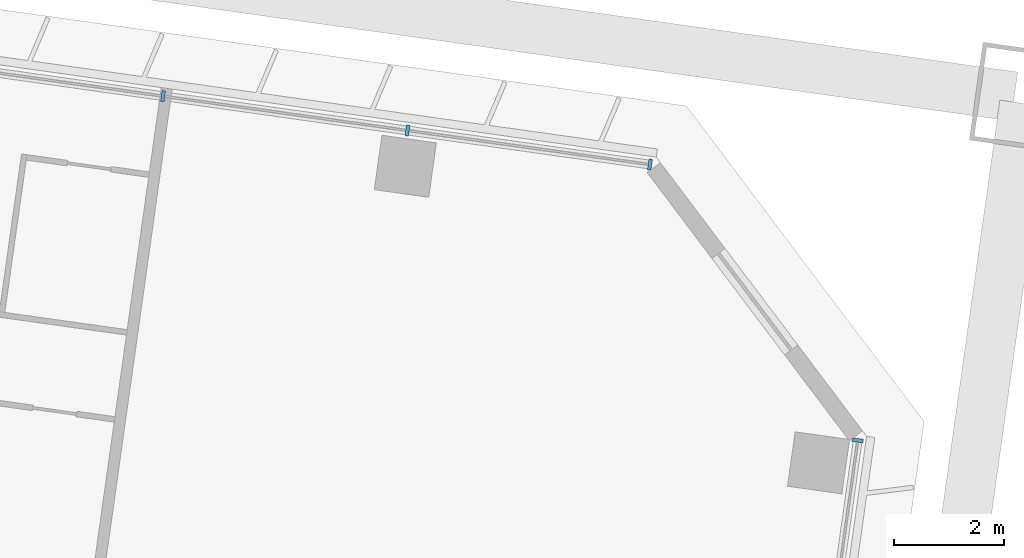
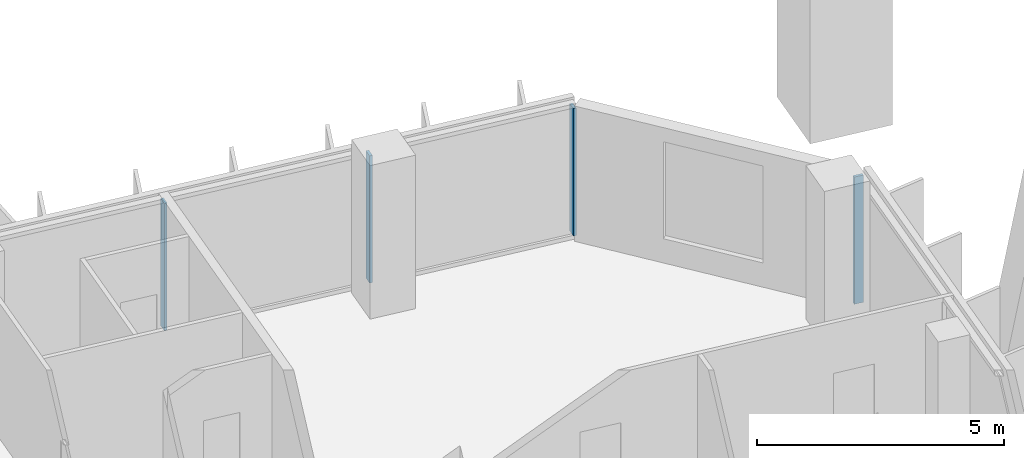
# One storey, part 18 of 49: 4 members, 2 elements without a shape of their own.
"""IFC4 building model written with IfcOpenShell, lengths in metres."""

from ifc_helpers import new_model, si_unit, direction, frame, origin, origin_2d, place, context, subcontext, project, spatial, rectangle, extrude, material, material_profile, profile_set, type_object, element, aggregate, save


model = new_model("IFC4")

# Units and contexts
model_context = context("Model", 3, precision=1e-05, world=origin(), true_north=direction((0.0, 1.0)))
body_context = subcontext(model_context, "Body", "Model", "MODEL_VIEW")
ifc_project = project(units=[si_unit("LENGTHUNIT", "METRE"), si_unit("AREAUNIT", "SQUARE_METRE"), si_unit("VOLUMEUNIT", "CUBIC_METRE"), si_unit("PLANEANGLEUNIT", "RADIAN"), si_unit("MASSUNIT", "GRAM", prefix="KILO")], contexts=[model_context])

# Site, building, storey
site_placement = place(None, origin())
site = spatial("IfcSite", under=ifc_project, at=site_placement, CompositionType="ELEMENT")
building_placement = place(site_placement, origin())
building = spatial("IfcBuilding", under=site, at=building_placement, Name="Mirante Cascada Hotel Towers", CompositionType="ELEMENT")
storey_placement = place(building_placement, frame((0.0, 0.0, 66.1)))
storey = spatial("IfcBuildingStorey", under=building, at=storey_placement, Name="L13", CompositionType="ELEMENT", Elevation=66.1)

# Curtain wall, members
ifc_material_1 = material(Name="Aluminium mullion and transom frame with clear laminated glass", Category="aluminium")
curtain_wall_type_1 = type_object("IfcCurtainWallType", Name="Ribbon curtain wall ECW1", PredefinedType="NOTDEFINED", material=ifc_material_1)
curtain_wall_1_placement = place(storey_placement, origin())
curtain_wall_1 = element("IfcCurtainWall", 1, at=curtain_wall_1_placement, inside=storey, type_object=curtain_wall_type_1, Name="Front ribbon wall T1 L13", PredefinedType="NOTDEFINED")
ifc_material_2 = material(Name="Anodised aluminium extrusion", Category="aluminium")
ifc_material_profile_1 = material_profile(ifc_material_2, rectangle(XDim=0.2, YDim=0.065, at=origin_2d()), Name="ECW1 MULLION 65x200")
ifc_profile_set_1 = profile_set([ifc_material_profile_1], Name="Anodised aluminium extrusion")
member_type_1 = type_object("IfcMemberType", Name="ECW1 mullion 65x200", PredefinedType="MULLION", material=ifc_profile_set_1)
member_1_placement = place(storey_placement, frame((-40.7892, 18.5516, 0.1), z_axis=(0.0, 0.0, 1.0), x_axis=(0.1391731, 0.9902681, 0.0)))
member_1 = element("IfcMember", 2, at=member_1_placement, type_object=member_type_1, Name="ECW1 mullion 13", PredefinedType="MULLION", context=body_context, shape_type="SweptSolid", body=[
    extrude(rectangle(XDim=0.2, YDim=0.065, at=origin_2d()), origin(), (0.0, 0.0, 1.0), 3.15),
])
member_2_placement = place(storey_placement, frame((-36.3417, 17.9265, 0.1), z_axis=(0.0, 0.0, 1.0), x_axis=(0.1391731, 0.9902681, 0.0)))
member_2 = element("IfcMember", 3, at=member_2_placement, type_object=member_type_1, Name="ECW1 mullion 14", PredefinedType="MULLION", context=body_context, shape_type="SweptSolid", body=[
    extrude(rectangle(XDim=0.2, YDim=0.065, at=origin_2d()), origin(), (0.0, 0.0, 1.0), 3.15),
])
member_3_placement = place(storey_placement, frame((-31.9265, 17.306, 0.1), z_axis=(0.0, 0.0, 1.0), x_axis=(0.1391731, 0.9902681, 0.0)))
member_3 = element("IfcMember", 4, at=member_3_placement, type_object=member_type_1, Name="ECW1 mullion 15", PredefinedType="MULLION", context=body_context, shape_type="SweptSolid", body=[
    extrude(rectangle(XDim=0.2, YDim=0.065, at=origin_2d()), origin(), (0.0, 0.0, 1.0), 3.15),
])
aggregate(curtain_wall_1, [member_1, member_2, member_3])

# Curtain wall, member
ifc_material_3 = material(Name="Aluminium mullion and transom frame with clear laminated glass", Category="aluminium")
curtain_wall_type_2 = type_object("IfcCurtainWallType", Name="End ribbon curtain wall ECW2", PredefinedType="NOTDEFINED", material=ifc_material_3)
curtain_wall_2_placement = place(storey_placement, origin())
curtain_wall_2 = element("IfcCurtainWall", 5, at=curtain_wall_2_placement, inside=storey, type_object=curtain_wall_type_2, Name="Inner end wall T1 L13", PredefinedType="NOTDEFINED")
ifc_material_4 = material(Name="Anodised aluminium extrusion", Category="aluminium")
ifc_material_profile_2 = material_profile(ifc_material_4, rectangle(XDim=0.2, YDim=0.065, at=origin_2d()), Name="ECW2 MULLION 65x200")
ifc_profile_set_2 = profile_set([ifc_material_profile_2], Name="Anodised aluminium extrusion")
member_type_2 = type_object("IfcMemberType", Name="ECW2 mullion 65x200", PredefinedType="MULLION", material=ifc_profile_set_2)
member_4_placement = place(storey_placement, frame((-28.1437, 12.2861, 0.1), z_axis=(0.0, 0.0, 1.0), x_axis=(0.9902681, -0.1391731, 0.0)))
member_4 = element("IfcMember", 6, at=member_4_placement, type_object=member_type_2, Name="ECW2 mullion 1", PredefinedType="MULLION", context=body_context, shape_type="SweptSolid", body=[
    extrude(rectangle(XDim=0.2, YDim=0.065, at=origin_2d()), origin(), (0.0, 0.0, 1.0), 3.15),
])
aggregate(curtain_wall_2, [member_4])

save(model, "model.ifc")
